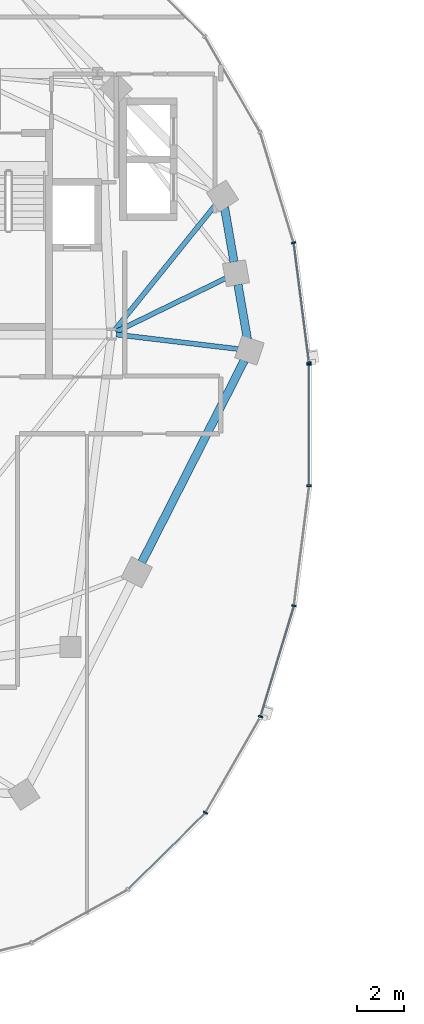
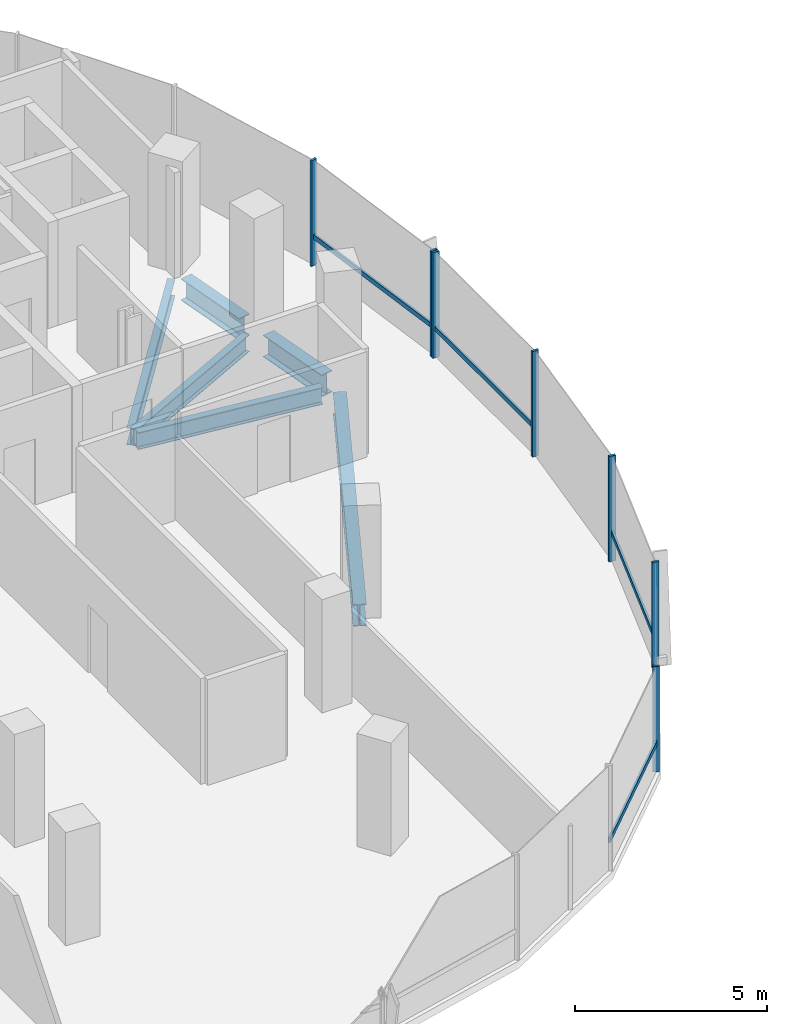
# One storey, part 4 of 22: 11 members, 6 beams, 2 elements without a shape of their own.
"""IFC4 building model written with IfcOpenShell, lengths in metres."""

from ifc_helpers import new_model, si_unit, direction, frame, origin, origin_2d, place, context, subcontext, project, spatial, rectangle, i_section, extrude, material, material_profile, profile_set, type_object, element, aggregate, save


model = new_model("IFC4")

# Units and contexts
model_context = context("Model", 3, precision=1e-05, world=origin(), true_north=direction((0.0, 1.0)))
body_context = subcontext(model_context, "Body", "Model", "MODEL_VIEW")
ifc_project = project(units=[si_unit("LENGTHUNIT", "METRE"), si_unit("AREAUNIT", "SQUARE_METRE"), si_unit("VOLUMEUNIT", "CUBIC_METRE"), si_unit("PLANEANGLEUNIT", "RADIAN"), si_unit("MASSUNIT", "GRAM", prefix="KILO"), si_unit("THERMODYNAMICTEMPERATUREUNIT", "KELVIN"), si_unit("POWERUNIT", "WATT")], contexts=[model_context])

# Site, building, storey
site_placement = place(None, origin())
site = spatial("IfcSite", under=ifc_project, at=site_placement, CompositionType="ELEMENT")
building_placement = place(site_placement, origin())
building = spatial("IfcBuilding", under=site, at=building_placement, Name="Cundina Bronze Exchange", CompositionType="ELEMENT")
storey_placement = place(building_placement, frame((0.0, 0.0, 144.0)))
storey = spatial("IfcBuildingStorey", under=building, at=storey_placement, Name="L37", CompositionType="ELEMENT", Elevation=144.0)

# Beams
ifc_material_1 = material(Name="Steel ASTM A992 Grade 50", Category="steel")
ifc_material_profile_1 = material_profile(ifc_material_1, i_section(OverallWidth=0.2119140625, OverallDepth=0.5439453125, WebThickness=0.01318359375, FlangeThickness=0.021240234375, FilletRadius=0.013916015625, at=origin_2d()), Name="W21X83", Category="steel")
ifc_profile_set_1 = profile_set([ifc_material_profile_1], Name="Steel ASTM A992 Grade 50")
beam_type_1 = type_object("IfcBeamType", Name="BM-FLR-W21A", PredefinedType="BEAM", material=ifc_profile_set_1)
beam_1_placement = place(storey_placement, frame((-21.247314453125, 3.8759765625, -0.511962890625), z_axis=(0.993036158382, -0.11780996624, 0.0), x_axis=(0.11780996624, 0.993036158382, 0.0)))
element("IfcBeam", 1, at=beam_1_placement, inside=storey, type_object=beam_type_1, Name="L37 Leg W Radial Floor Beam 00", PredefinedType="BEAM", context=body_context, shape_type="SweptSolid", body=[
    extrude(i_section(OverallWidth=0.2119140625, OverallDepth=0.5439453125, WebThickness=0.01318359375, FlangeThickness=0.021240234375, FilletRadius=0.013916015625, at=origin_2d()), origin(), (0.0, 0.0, 1.0), 5.249267578125),
])
beam_2_placement = place(storey_placement, frame((-21.2666015625, 3.989501953125, -0.511962890625), z_axis=(0.898604300669, 0.438759969481, 0.0), x_axis=(-0.438759969481, 0.898604300669, 0.0)))
element("IfcBeam", 2, at=beam_2_placement, inside=storey, type_object=beam_type_1, Name="L37 Leg W Radial Floor Beam 01", PredefinedType="BEAM", context=body_context, shape_type="SweptSolid", body=[
    extrude(i_section(OverallWidth=0.2119140625, OverallDepth=0.5439453125, WebThickness=0.01318359375, FlangeThickness=0.021240234375, FilletRadius=0.013916015625, at=origin_2d()), origin(), (0.0, 0.0, 1.0), 5.23388671875),
])
beam_3_placement = place(storey_placement, frame((-21.322021484375, 4.058837890625, -0.511962890625), z_axis=(0.627088684379, 0.778947868553, 0.0), x_axis=(-0.778947868553, 0.627088684379, 0.0)))
element("IfcBeam", 3, at=beam_3_placement, inside=storey, type_object=beam_type_1, Name="L37 Leg W Radial Floor Beam 02", PredefinedType="BEAM", context=body_context, shape_type="SweptSolid", body=[
    extrude(i_section(OverallWidth=0.2119140625, OverallDepth=0.5439453125, WebThickness=0.01318359375, FlangeThickness=0.021240234375, FilletRadius=0.013916015625, at=origin_2d()), origin(), (0.0, 0.0, 1.0), 6.882568359375),
])
ifc_material_profile_2 = material_profile(ifc_material_1, i_section(OverallWidth=0.35498046875, OverallDepth=0.695068359375, WebThickness=0.015380859375, FlangeThickness=0.02490234375, FilletRadius=0.01806640625, at=origin_2d()), Name="W27X146", Category="steel")
ifc_profile_set_2 = profile_set([ifc_material_profile_2], Name="Steel ASTM A992 Grade 50")
beam_type_2 = type_object("IfcBeamType", Name="BM-RING-W27", PredefinedType="USERDEFINED", material=ifc_profile_set_2)
for number, where, z_axis, x_axis, name in (
    (4, (-15.6337890625, 3.680908203125, -0.58740234375), (-0.171666718895, 0.985155083032, 0.0), (-0.985155083032, -0.171666718895, 0.0), "L37 W Perimeter Ring Girder 00"),
    (5, (-16.208740234375, 6.980712890625, -0.58740234375), (-0.171666718895, 0.985155083032, 0.0), (-0.985155083032, -0.171666718895, 0.0), "L37 W Perimeter Ring Girder 01"),
):
    element("IfcBeam", number, at=place(storey_placement, frame(where, z_axis=z_axis, x_axis=x_axis)), inside=storey, type_object=beam_type_2, Name=name, ObjectType="GIRDER", PredefinedType="USERDEFINED", context=body_context, shape_type="SweptSolid", body=[
        extrude(i_section(OverallWidth=0.35498046875, OverallDepth=0.695068359375, WebThickness=0.015380859375, FlangeThickness=0.02490234375, FilletRadius=0.01806640625, at=origin_2d()), origin(), (0.0, 0.0, 1.0), 2.37353515625),
    ])
beam_4_placement = place(storey_placement, frame((-20.154052734375, -5.864990234375, -0.58740234375), z_axis=(0.452834585354, 0.891594548159, 0.0), x_axis=(-0.891594548159, 0.452834585354, 0.0)))
element("IfcBeam", 6, at=beam_4_placement, inside=storey, type_object=beam_type_2, Name="L37 W Perimeter Ring Girder 13", ObjectType="GIRDER", PredefinedType="USERDEFINED", context=body_context, shape_type="SweptSolid", body=[
    extrude(i_section(OverallWidth=0.35498046875, OverallDepth=0.695068359375, WebThickness=0.015380859375, FlangeThickness=0.02490234375, FilletRadius=0.01806640625, at=origin_2d()), origin(), (0.0, 0.0, 1.0), 9.67919921875),
])

# Curtain wall, members
ifc_material_2 = material(Name="Anodised Bronze Aluminium 6063-T6", Category="aluminium")
curtain_wall_type = type_object("IfcCurtainWallType", Name="CWS-WST-PIN", PredefinedType="NOTDEFINED", material=ifc_material_2)
curtain_wall_1_placement = place(storey_placement, origin())
curtain_wall_1 = element("IfcCurtainWall", 7, at=curtain_wall_1_placement, inside=storey, type_object=curtain_wall_type, Name="L37 CW-04 Curtain Wall Run CWR-L37-W1", PredefinedType="NOTDEFINED")
ifc_material_profile_3 = material_profile(ifc_material_2, rectangle(XDim=0.070068359375, YDim=0.18994140625, at=origin_2d()), Name="AL70X190", Category="aluminium")
ifc_profile_set_3 = profile_set([ifc_material_profile_3], Name="Anodised Bronze Aluminium 6063-T6")
member_type_1 = type_object("IfcMemberType", Name="CWM-MUL-190", PredefinedType="MULLION", material=ifc_profile_set_3)
member_1_placement = place(storey_placement, frame((-12.998291015625, 2.676025390625, 0.0), z_axis=(0.0, 0.0, 1.0), x_axis=(-0.126545236492, 0.991960837494, 0.0)))
member_1 = element("IfcMember", 8, at=member_1_placement, type_object=member_type_1, Name="CW-04 Mullion 1", PredefinedType="MULLION", context=body_context, shape_type="SweptSolid", body=[
    extrude(rectangle(XDim=0.070068359375, YDim=0.18994140625, at=origin_2d()), origin(), (0.0, 0.0, 1.0), 3.360107421875),
])
member_2_placement = place(storey_placement, frame((-13.6591796875, 7.80859375, 0.0), z_axis=(0.0, 0.0, 1.0), x_axis=(-0.290034140915, 0.957016299288, 0.0)))
member_2 = element("IfcMember", 9, at=member_2_placement, type_object=member_type_1, Name="CW-04 Mullion 2", PredefinedType="MULLION", context=body_context, shape_type="SweptSolid", body=[
    extrude(rectangle(XDim=0.070068359375, YDim=0.18994140625, at=origin_2d()), origin(), (0.0, 0.0, 1.0), 3.360107421875),
])

curtain_wall_2_placement = place(storey_placement, origin())
curtain_wall_2 = element("IfcCurtainWall", 10, at=curtain_wall_2_placement, inside=storey, type_object=curtain_wall_type, Name="L37 CW-04 Curtain Wall Run CWR-L37-W4", PredefinedType="NOTDEFINED")
member_3_placement = place(storey_placement, frame((-17.42919921875, -16.588134765625, 0.0), z_axis=(0.0, 0.0, 1.0), x_axis=(0.498487739754, 0.866896748936, 0.0)))
member_3 = element("IfcMember", 11, at=member_3_placement, type_object=member_type_1, Name="CW-04 Mullion 4", PredefinedType="MULLION", context=body_context, shape_type="SweptSolid", body=[
    extrude(rectangle(XDim=0.070068359375, YDim=0.18994140625, at=origin_2d()), origin(), (0.0, 0.0, 1.0), 3.360107421875),
])
member_4_placement = place(storey_placement, frame((-15.07373046875, -12.4755859375, 0.0), z_axis=(0.0, 0.0, 1.0), x_axis=(0.290034140915, 0.957016299288, 0.0)))
member_4 = element("IfcMember", 12, at=member_4_placement, type_object=member_type_1, Name="CW-04 Mullion 5", PredefinedType="MULLION", context=body_context, shape_type="SweptSolid", body=[
    extrude(rectangle(XDim=0.070068359375, YDim=0.18994140625, at=origin_2d()), origin(), (0.0, 0.0, 1.0), 3.360107421875),
])
member_5_placement = place(storey_placement, frame((-13.642822265625, -7.731689453125, 0.0), z_axis=(0.0, 0.0, 1.0), x_axis=(0.126545236492, 0.991960837494, 0.0)))
member_5 = element("IfcMember", 13, at=member_5_placement, type_object=member_type_1, Name="CW-04 Mullion 6", PredefinedType="MULLION", context=body_context, shape_type="SweptSolid", body=[
    extrude(rectangle(XDim=0.070068359375, YDim=0.18994140625, at=origin_2d()), origin(), (0.0, 0.0, 1.0), 3.360107421875),
])
member_6_placement = place(storey_placement, frame((-12.992919921875, -2.593017578125, 0.0), z_axis=(0.0, 0.0, 1.0), x_axis=(0.0, 1.0, 0.0)))
member_6 = element("IfcMember", 14, at=member_6_placement, type_object=member_type_1, Name="CW-04 Mullion 7", PredefinedType="MULLION", context=body_context, shape_type="SweptSolid", body=[
    extrude(rectangle(XDim=0.070068359375, YDim=0.18994140625, at=origin_2d()), origin(), (0.0, 0.0, 1.0), 3.360107421875),
])
member_7_placement = place(storey_placement, frame((-12.992919921875, 2.593017578125, 0.0), z_axis=(0.0, 0.0, 1.0), x_axis=(0.0, 1.0, 0.0)))
member_7 = element("IfcMember", 15, at=member_7_placement, type_object=member_type_1, Name="CW-04 End Mullion", PredefinedType="MULLION", context=body_context, shape_type="SweptSolid", body=[
    extrude(rectangle(XDim=0.070068359375, YDim=0.18994140625, at=origin_2d()), origin(), (0.0, 0.0, 1.0), 3.360107421875),
])

# Member
ifc_material_profile_4 = material_profile(ifc_material_2, rectangle(XDim=0.06494140625, YDim=0.14990234375, at=origin_2d()), Name="AL65X150", Category="aluminium")
ifc_profile_set_4 = profile_set([ifc_material_profile_4], Name="Anodised Bronze Aluminium 6063-T6")
member_type_2 = type_object("IfcMemberType", Name="CWM-TRN-150", PredefinedType="USERDEFINED", material=ifc_profile_set_4)
member_8_placement = place(storey_placement, frame((-13.003173828125, 2.71435546875, 0.919921875), z_axis=(-0.12646340362, 0.991971273548, 0.0), x_axis=(-0.991971273548, -0.12646340362, 0.0)))
member_8 = element("IfcMember", 16, at=member_8_placement, type_object=member_type_2, Name="CW-04 Spandrel Transom 1", ObjectType="TRANSOM", PredefinedType="USERDEFINED", context=body_context, shape_type="SweptSolid", body=[
    extrude(rectangle(XDim=0.06494140625, YDim=0.14990234375, at=origin_2d()), origin(), (0.0, 0.0, 1.0), 5.0966796875),
])

aggregate(curtain_wall_1, [member_1, member_8, member_2])

member_9_placement = place(storey_placement, frame((-20.71337890625, -19.839599609375, 0.919921875), z_axis=(0.712005023839, 0.702174370102, 0.0), x_axis=(-0.702174370102, 0.712005023839, 0.0)))
member_9 = element("IfcMember", 17, at=member_9_placement, type_object=member_type_2, Name="CW-04 Spandrel Transom 3", ObjectType="TRANSOM", PredefinedType="USERDEFINED", context=body_context, shape_type="SweptSolid", body=[
    extrude(rectangle(XDim=0.06494140625, YDim=0.14990234375, at=origin_2d()), origin(), (0.0, 0.0, 1.0), 4.594482421875),
])

member_10_placement = place(storey_placement, frame((-15.062744140625, -12.43896484375, 0.919921875), z_axis=(0.290051855969, 0.957010930371, 0.0), x_axis=(-0.957010930371, 0.290051855969, 0.0)))
member_10 = element("IfcMember", 18, at=member_10_placement, type_object=member_type_2, Name="CW-04 Spandrel Transom 5", ObjectType="TRANSOM", PredefinedType="USERDEFINED", context=body_context, shape_type="SweptSolid", body=[
    extrude(rectangle(XDim=0.06494140625, YDim=0.14990234375, at=origin_2d()), origin(), (0.0, 0.0, 1.0), 4.876953125),
])

member_11_placement = place(storey_placement, frame((-12.992919921875, -2.554443359375, 0.919921875), z_axis=(0.0, 1.0, 0.0), x_axis=(-1.0, 0.0, 0.0)))
member_11 = element("IfcMember", 19, at=member_11_placement, type_object=member_type_2, Name="CW-04 Spandrel Transom 7", ObjectType="TRANSOM", PredefinedType="USERDEFINED", context=body_context, shape_type="SweptSolid", body=[
    extrude(rectangle(XDim=0.06494140625, YDim=0.14990234375, at=origin_2d()), origin(), (0.0, 0.0, 1.0), 5.10888671875),
])

aggregate(curtain_wall_2, [member_9, member_3, member_4, member_10, member_5, member_6, member_7, member_11])

save(model, "model.ifc")
